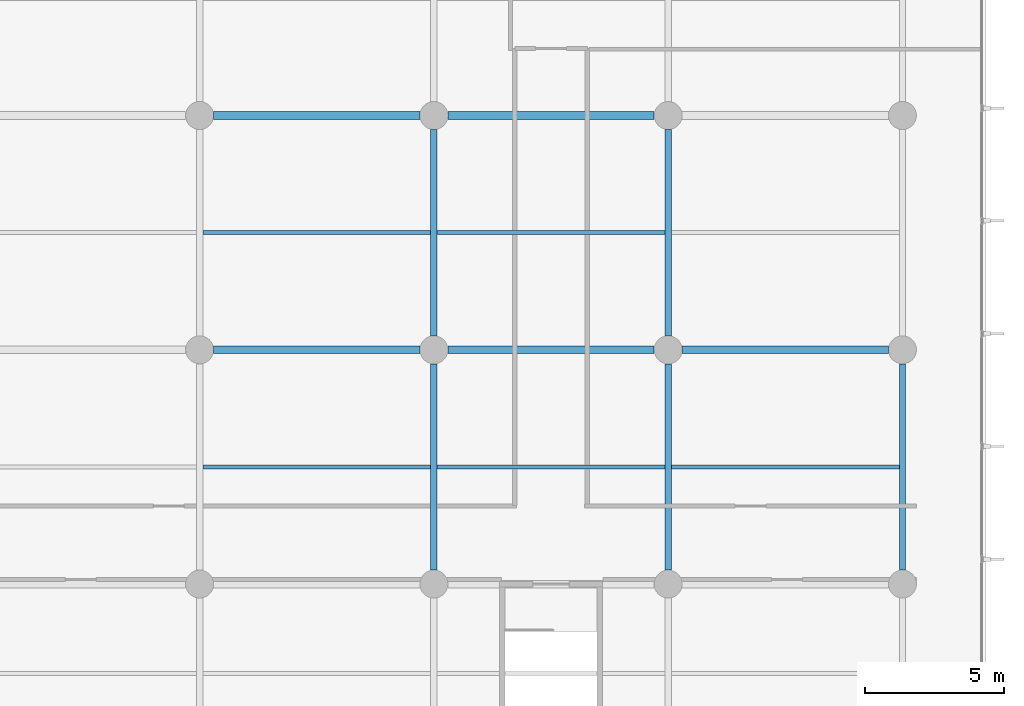
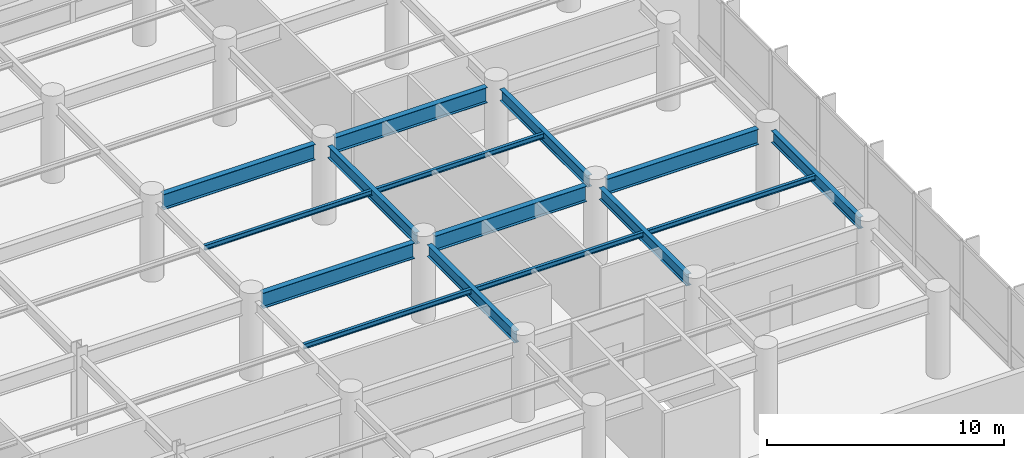
# One storey, part 8 of 23: 15 beams.
"""IFC4 building model written with IfcOpenShell, lengths in metres."""

from ifc_helpers import new_model, si_unit, direction, frame, origin, origin_2d, place, context, subcontext, project, spatial, i_section, extrude, material, material_profile, profile_set, type_object, element, save


model = new_model("IFC4")

# Units and contexts
model_context = context("Model", 3, precision=1e-05, world=origin(), true_north=direction((0.0, 1.0)))
body_context = subcontext(model_context, "Body", "Model", "MODEL_VIEW")
ifc_project = project(units=[si_unit("LENGTHUNIT", "METRE"), si_unit("AREAUNIT", "SQUARE_METRE"), si_unit("VOLUMEUNIT", "CUBIC_METRE"), si_unit("PLANEANGLEUNIT", "RADIAN"), si_unit("MASSUNIT", "GRAM", prefix="KILO")], contexts=[model_context])

# Site, building, storey
site_placement = place(None, origin())
site = spatial("IfcSite", under=ifc_project, at=site_placement, CompositionType="ELEMENT")
building_placement = place(site_placement, origin())
building = spatial("IfcBuilding", under=site, at=building_placement, Name="Varnakote Quay Hospital", CompositionType="ELEMENT")
storey_placement = place(building_placement, frame((0.0, 0.0, 18.0)))
storey = spatial("IfcBuildingStorey", under=building, at=storey_placement, Name="L04", CompositionType="ELEMENT", Elevation=18.0)

# Beams
ifc_material_1 = material(Name="Structural steel AS/NZS 3679.1 Grade 350 L0 (fy 340 MPa)", Category="steel")
ifc_material_profile_1 = material_profile(ifc_material_1, i_section(OverallWidth=0.22802734375, OverallDepth=0.60205078125, WebThickness=0.010498046875, FlangeThickness=0.014892578125, FilletRadius=0.013916015625, at=origin_2d()), Name="610UB101")
ifc_profile_set_1 = profile_set([ifc_material_profile_1], Name="Structural steel AS/NZS 3679.1 Grade 350 L0 (fy 340 MPa)")
beam_type_1 = type_object("IfcBeamType", Name="BM-STL-610UB101", PredefinedType="BEAM", material=ifc_profile_set_1)
beam_1_placement = place(storey_placement, frame((67.199951171875, 12.5, 3.779052734375), z_axis=(0.0, 1.0, 0.0), x_axis=(-1.0, 0.0, 0.0)))
element("IfcBeam", 1, at=beam_1_placement, inside=storey, type_object=beam_type_1, Name="L04 Primary Tie Beam", PredefinedType="BEAM", context=body_context, shape_type="SweptSolid", body=[
    extrude(i_section(OverallWidth=0.22802734375, OverallDepth=0.60205078125, WebThickness=0.010498046875, FlangeThickness=0.014892578125, FilletRadius=0.013916015625, at=origin_2d()), origin(), (0.0, 0.0, 1.0), 7.39990234375),
])
beam_2_placement = place(storey_placement, frame((67.199951171875, 20.89990234375, 3.779052734375), z_axis=(0.0, 1.0, 0.0), x_axis=(-1.0, 0.0, 0.0)))
element("IfcBeam", 2, at=beam_2_placement, inside=storey, type_object=beam_type_1, Name="L04 Primary Tie Beam", PredefinedType="BEAM", context=body_context, shape_type="SweptSolid", body=[
    extrude(i_section(OverallWidth=0.22802734375, OverallDepth=0.60205078125, WebThickness=0.010498046875, FlangeThickness=0.014892578125, FilletRadius=0.013916015625, at=origin_2d()), origin(), (0.0, 0.0, 1.0), 7.400146484375),
])
beam_3_placement = place(storey_placement, frame((75.60009765625, 12.5, 3.779052734375), z_axis=(0.0, 1.0, 0.0), x_axis=(-1.0, 0.0, 0.0)))
element("IfcBeam", 3, at=beam_3_placement, inside=storey, type_object=beam_type_1, Name="L04 Primary Tie Beam", PredefinedType="BEAM", context=body_context, shape_type="SweptSolid", body=[
    extrude(i_section(OverallWidth=0.22802734375, OverallDepth=0.60205078125, WebThickness=0.010498046875, FlangeThickness=0.014892578125, FilletRadius=0.013916015625, at=origin_2d()), origin(), (0.0, 0.0, 1.0), 7.39990234375),
])
beam_4_placement = place(storey_placement, frame((75.60009765625, 20.89990234375, 3.779052734375), z_axis=(0.0, 1.0, 0.0), x_axis=(-1.0, 0.0, 0.0)))
element("IfcBeam", 4, at=beam_4_placement, inside=storey, type_object=beam_type_1, Name="L04 Primary Tie Beam", PredefinedType="BEAM", context=body_context, shape_type="SweptSolid", body=[
    extrude(i_section(OverallWidth=0.22802734375, OverallDepth=0.60205078125, WebThickness=0.010498046875, FlangeThickness=0.014892578125, FilletRadius=0.013916015625, at=origin_2d()), origin(), (0.0, 0.0, 1.0), 7.400146484375),
])
beam_5_placement = place(storey_placement, frame((84.0, 12.5, 3.779052734375), z_axis=(0.0, 1.0, 0.0), x_axis=(-1.0, 0.0, 0.0)))
element("IfcBeam", 5, at=beam_5_placement, inside=storey, type_object=beam_type_1, Name="L04 Primary Tie Beam", PredefinedType="BEAM", context=body_context, shape_type="SweptSolid", body=[
    extrude(i_section(OverallWidth=0.22802734375, OverallDepth=0.60205078125, WebThickness=0.010498046875, FlangeThickness=0.014892578125, FilletRadius=0.013916015625, at=origin_2d()), origin(), (0.0, 0.0, 1.0), 7.39990234375),
])
ifc_material_2 = material(Name="Structural steel AS/NZS 3678 Grade 350 (fy 340 MPa)", Category="steel")
ifc_material_profile_2 = material_profile(ifc_material_2, i_section(OverallWidth=0.27490234375, OverallDepth=0.800048828125, WebThickness=0.010009765625, FlangeThickness=0.02001953125, at=origin_2d()), Name="800WB146")
ifc_profile_set_2 = profile_set([ifc_material_profile_2], Name="Structural steel AS/NZS 3678 Grade 350 (fy 340 MPa)")
beam_type_2 = type_object("IfcBeamType", Name="BM-STL-800WB146", PredefinedType="BEAM", material=ifc_profile_set_2)
beam_6_placement = place(storey_placement, frame((59.300048828125, 20.39990234375, 3.679931640625), z_axis=(1.0, 0.0, 0.0), x_axis=(0.0, 1.0, 0.0)))
element("IfcBeam", 6, at=beam_6_placement, inside=storey, type_object=beam_type_2, Name="L04 Plated Composite Transfer Beam", PredefinedType="BEAM", context=body_context, shape_type="SweptSolid", body=[
    extrude(i_section(OverallWidth=0.27490234375, OverallDepth=0.800048828125, WebThickness=0.010009765625, FlangeThickness=0.02001953125, at=origin_2d()), origin(), (0.0, 0.0, 1.0), 7.39990234375),
])
beam_7_placement = place(storey_placement, frame((67.699951171875, 20.39990234375, 3.679931640625), z_axis=(1.0, 0.0, 0.0), x_axis=(0.0, 1.0, 0.0)))
element("IfcBeam", 7, at=beam_7_placement, inside=storey, type_object=beam_type_2, Name="L04 Plated Composite Transfer Beam", PredefinedType="BEAM", context=body_context, shape_type="SweptSolid", body=[
    extrude(i_section(OverallWidth=0.27490234375, OverallDepth=0.800048828125, WebThickness=0.010009765625, FlangeThickness=0.02001953125, at=origin_2d()), origin(), (0.0, 0.0, 1.0), 7.400146484375),
])
for number, where, z_axis, x_axis, name in (
    (8, (76.10009765625, 20.39990234375, 3.679931640625), (1.0, 0.0, 0.0), (0.0, 1.0, 0.0), "L04 Plated Composite Transfer Beam"),
    (9, (59.300048828125, 28.800048828125, 3.679931640625), (1.0, 0.0, 0.0), (0.0, 1.0, 0.0), "L04 Plated Composite Transfer Beam"),
):
    element("IfcBeam", number, at=place(storey_placement, frame(where, z_axis=z_axis, x_axis=x_axis)), inside=storey, type_object=beam_type_2, Name=name, PredefinedType="BEAM", context=body_context, shape_type="SweptSolid", body=[
        extrude(i_section(OverallWidth=0.27490234375, OverallDepth=0.800048828125, WebThickness=0.010009765625, FlangeThickness=0.02001953125, at=origin_2d()), origin(), (0.0, 0.0, 1.0), 7.39990234375),
    ])
beam_8_placement = place(storey_placement, frame((67.699951171875, 28.800048828125, 3.679931640625), z_axis=(1.0, 0.0, 0.0), x_axis=(0.0, 1.0, 0.0)))
element("IfcBeam", 10, at=beam_8_placement, inside=storey, type_object=beam_type_2, Name="L04 Plated Composite Transfer Beam", PredefinedType="BEAM", context=body_context, shape_type="SweptSolid", body=[
    extrude(i_section(OverallWidth=0.27490234375, OverallDepth=0.800048828125, WebThickness=0.010009765625, FlangeThickness=0.02001953125, at=origin_2d()), origin(), (0.0, 0.0, 1.0), 7.400146484375),
])
ifc_material_3 = material(Name="Structural steel AS/NZS 3679.1 Grade 350 L0 (fy 340 MPa)", Category="steel")
ifc_material_profile_3 = material_profile(ifc_material_3, i_section(OverallWidth=0.14599609375, OverallDepth=0.256103515625, WebThickness=0.00634765625, FlangeThickness=0.010986328125, FilletRadius=0.0087890625, at=origin_2d()), Name="250UB37.3")
ifc_profile_set_3 = profile_set([ifc_material_profile_3], Name="Structural steel AS/NZS 3679.1 Grade 350 L0 (fy 340 MPa)")
beam_type_3 = type_object("IfcBeamType", Name="JST-STL-250UB37-3", PredefinedType="JOIST", material=ifc_profile_set_3)
beam_9_placement = place(storey_placement, frame((58.9140625, 16.199951171875, 3.951904296875), z_axis=(1.0, 0.0, 0.0), x_axis=(0.0, 1.0, 0.0)))
element("IfcBeam", 11, at=beam_9_placement, inside=storey, type_object=beam_type_3, Name="L04 Composite Floor Joist", PredefinedType="JOIST", context=body_context, shape_type="SweptSolid", body=[
    extrude(i_section(OverallWidth=0.14599609375, OverallDepth=0.256103515625, WebThickness=0.00634765625, FlangeThickness=0.010986328125, FilletRadius=0.0087890625, at=origin_2d()), origin(), (0.0, 0.0, 1.0), 8.171875),
])
beam_10_placement = place(storey_placement, frame((67.31396484375, 16.199951171875, 3.951904296875), z_axis=(1.0, 0.0, 0.0), x_axis=(0.0, 1.0, 0.0)))
element("IfcBeam", 12, at=beam_10_placement, inside=storey, type_object=beam_type_3, Name="L04 Composite Floor Joist", PredefinedType="JOIST", context=body_context, shape_type="SweptSolid", body=[
    extrude(i_section(OverallWidth=0.14599609375, OverallDepth=0.256103515625, WebThickness=0.00634765625, FlangeThickness=0.010986328125, FilletRadius=0.0087890625, at=origin_2d()), origin(), (0.0, 0.0, 1.0), 8.172119140625),
])
for number, where, z_axis, x_axis, name in (
    (13, (75.714111328125, 16.199951171875, 3.951904296875), (1.0, 0.0, 0.0), (0.0, 1.0, 0.0), "L04 Composite Floor Joist"),
    (14, (58.9140625, 24.60009765625, 3.951904296875), (1.0, 0.0, 0.0), (0.0, 1.0, 0.0), "L04 Composite Floor Joist"),
):
    element("IfcBeam", number, at=place(storey_placement, frame(where, z_axis=z_axis, x_axis=x_axis)), inside=storey, type_object=beam_type_3, Name=name, PredefinedType="JOIST", context=body_context, shape_type="SweptSolid", body=[
        extrude(i_section(OverallWidth=0.14599609375, OverallDepth=0.256103515625, WebThickness=0.00634765625, FlangeThickness=0.010986328125, FilletRadius=0.0087890625, at=origin_2d()), origin(), (0.0, 0.0, 1.0), 8.171875),
    ])
beam_11_placement = place(storey_placement, frame((67.31396484375, 24.60009765625, 3.951904296875), z_axis=(1.0, 0.0, 0.0), x_axis=(0.0, 1.0, 0.0)))
element("IfcBeam", 15, at=beam_11_placement, inside=storey, type_object=beam_type_3, Name="L04 Composite Floor Joist", PredefinedType="JOIST", context=body_context, shape_type="SweptSolid", body=[
    extrude(i_section(OverallWidth=0.14599609375, OverallDepth=0.256103515625, WebThickness=0.00634765625, FlangeThickness=0.010986328125, FilletRadius=0.0087890625, at=origin_2d()), origin(), (0.0, 0.0, 1.0), 8.172119140625),
])

save(model, "model.ifc")
